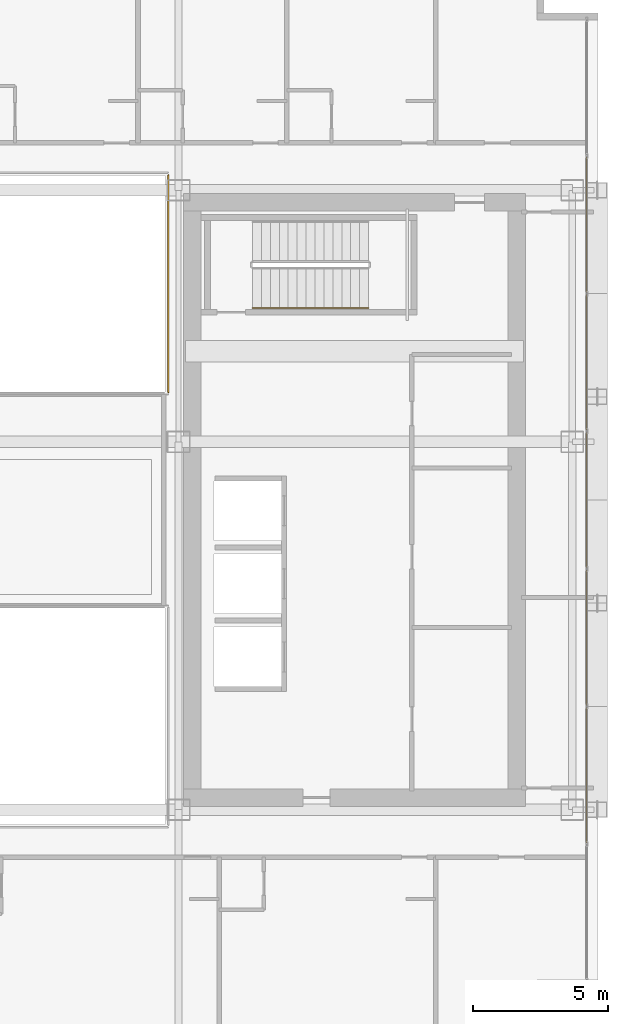
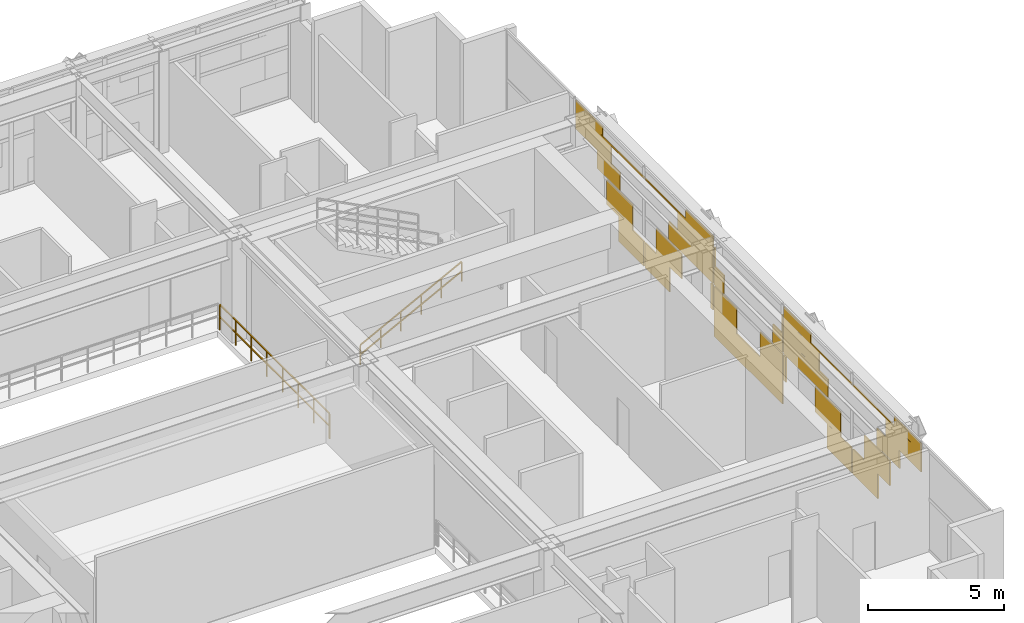
# One storey, part 37 of 38: 2 railings, 1 covering.
"""IFC4 building model written with IfcOpenShell, lengths in metres."""

import ifcopenshell
import ifcopenshell.guid

model = None  # the IFC model being written
_history = None  # IfcOwnerHistory: only IFC2X3 demands one
_inside = {}  # id of a spatial element -> (the spatial element, [elements in it])
_under = {}  # id of a project, library or spatial element -> (it, [spatial elements below it])
_declared = {}  # id of a project -> (the project, [libraries it declares])
_typed = {}  # id of a type object -> (the type object, [elements of that type])
_made_of = {}  # id of a material, layer set ... -> (it, [elements and type objects made of it])


def new_model(schema):
    """Start an empty IFC model of exactly this schema.

    Asked for "IFC4X3", IfcOpenShell would pick the latest addendum, in which some entities
    have other attributes; the version numbers below select the first issue.
    IFC2X3 requires an IfcOwnerHistory on every rooted entity: one is made here for all.
    """
    global model, _history
    if schema == "IFC4X3":
        model = ifcopenshell.file(schema_version=(4, 3, 0, 0))
    else:
        model = ifcopenshell.file(schema=schema)
    _inside.clear()
    _under.clear()
    _declared.clear()
    _typed.clear()
    _made_of.clear()
    _history = None
    if model.schema == "IFC2X3":
        org = make("IfcOrganization", Name="unknown")
        user = make(
            "IfcPersonAndOrganization",
            ThePerson=make("IfcPerson", FamilyName="unknown"),
            TheOrganization=org,
        )
        app = make(
            "IfcApplication",
            ApplicationDeveloper=org,
            Version="unknown",
            ApplicationFullName="unknown",
            ApplicationIdentifier="unknown",
        )
        _history = make(
            "IfcOwnerHistory",
            OwningUser=user,
            OwningApplication=app,
            ChangeAction="ADDED",
            CreationDate=0,
        )
    return model


def make(cls, **values):
    """One entity of the class cls with the attributes given. An attribute that is None is left unset."""
    return model.create_entity(
        cls, **{name: value for name, value in values.items() if value is not None}
    )


def rooted(cls, **values):
    """An entity with a GlobalId (a new one), such as an element, a storey or a relation."""
    return make(cls, GlobalId=ifcopenshell.guid.new(), OwnerHistory=_history, **values)


def si_unit(unit_type, name, prefix=None):
    """IfcSIUnit, for example si_unit("LENGTHUNIT", "METRE", prefix="MILLI")."""
    return make("IfcSIUnit", UnitType=unit_type, Prefix=prefix, Name=name)


def assignment(units):
    """IfcUnitAssignment: the units of a project."""
    return None if units is None else make("IfcUnitAssignment", Units=units)


def point(xyz):
    """IfcCartesianPoint."""
    return None if xyz is None else make("IfcCartesianPoint", Coordinates=xyz)


def direction(xyz):
    """IfcDirection."""
    return None if xyz is None else make("IfcDirection", DirectionRatios=xyz)


def frame(location, z_axis=None, x_axis=None):
    """IfcAxis2Placement3D, a coordinate frame: its origin and axes. An axis left out is left unset."""
    return make(
        "IfcAxis2Placement3D",
        Location=point(location),
        Axis=direction(z_axis),
        RefDirection=direction(x_axis),
    )


def frame_2d(location, x_axis=None):
    """IfcAxis2Placement2D, a coordinate frame in the plane: its origin and x axis."""
    return make(
        "IfcAxis2Placement2D", Location=point(location), RefDirection=direction(x_axis)
    )


def origin():
    """The frame at (0, 0, 0) with its axes left unset."""
    return frame((0.0, 0.0, 0.0))


def origin_2d():
    """The frame at (0, 0) in the plane with its x axis left unset."""
    return frame_2d((0.0, 0.0))


def place(relative_to, where):
    """IfcLocalPlacement: puts the frame where relative to a parent placement (None: the world)."""
    return make(
        "IfcLocalPlacement", PlacementRelTo=relative_to, RelativePlacement=where
    )


def context(
    kind, dimensions, precision=None, world=None, true_north=None, identifier=None
):
    """IfcGeometricRepresentationContext, for example the 3D "Model" context."""
    return make(
        "IfcGeometricRepresentationContext",
        ContextIdentifier=identifier,
        ContextType=kind,
        CoordinateSpaceDimension=dimensions,
        Precision=precision,
        WorldCoordinateSystem=world,
        TrueNorth=true_north,
    )


def subcontext(parent, identifier, kind, view, scale=None):
    """IfcGeometricRepresentationSubContext, for example "Body" below "Model"."""
    return make(
        "IfcGeometricRepresentationSubContext",
        ContextIdentifier=identifier,
        ContextType=kind,
        ParentContext=parent,
        TargetScale=scale,
        TargetView=view,
    )


def project(units=None, contexts=None):
    """IfcProject with its units and contexts."""
    return rooted(
        "IfcProject",
        Name="project",
        RepresentationContexts=contexts,
        UnitsInContext=assignment(units),
    )


def spatial(cls, under=None, at=None, **own):
    """A site, building, storey or space (cls), placed at a placement, below another one or the project."""
    s = rooted(cls, ObjectPlacement=at, **own)
    if under is not None:
        _under.setdefault(under.id(), (under, []))[1].append(s)
    return s


def profile(cls, at=None, kind="AREA", **sizes):
    """A parametric profile (cls). Its sizes go by their IFC names, for example OverallWidth=200.0."""
    return make(cls, ProfileType=kind, Position=at, **sizes)


def rectangle(**sizes):
    """IfcRectangleProfileDef."""
    return profile("IfcRectangleProfileDef", **sizes)


def extrude(swept, where, along, depth):
    """IfcExtrudedAreaSolid: the profile swept, set in the frame where, extruded along a direction by depth."""
    return make(
        "IfcExtrudedAreaSolid",
        SweptArea=swept,
        Position=where,
        ExtrudedDirection=direction(along),
        Depth=depth,
    )


def shape(context_of_items, identifier, shape_type, items):
    """IfcShapeRepresentation: the items that make up one representation, for example the "Body"."""
    return make(
        "IfcShapeRepresentation",
        ContextOfItems=context_of_items,
        RepresentationIdentifier=identifier,
        RepresentationType=shape_type,
        Items=items,
    )


def material(Name=None, Category=None):
    """IfcMaterial."""
    return make("IfcMaterial", Name=Name, Category=Category)


def layer(
    of_material, thickness, ventilated=None, Name=None, Category=None, Priority=None
):
    """IfcMaterialLayer: one layer of a wall or slab, of a material (None: an air gap)."""
    return make(
        "IfcMaterialLayer",
        Material=of_material,
        LayerThickness=thickness,
        IsVentilated=ventilated,
        Name=Name,
        Category=Category,
        Priority=Priority,
    )


def layer_set(layers, Name=None):
    """IfcMaterialLayerSet."""
    return make("IfcMaterialLayerSet", MaterialLayers=layers, LayerSetName=Name)


def made_of(thing, what):
    """Note that an element or type object is made of a material, layer set ...; save() writes the relation."""
    if what is not None:
        _made_of.setdefault(what.id(), (what, []))[1].append(thing)
    return thing


def type_object(cls, material=None, **own):
    """A type object (cls), such as IfcWallType, which elements share."""
    return made_of(rooted(cls, **own), material)


def element(
    cls,
    number,
    at=None,
    inside=None,
    cuts=None,
    type_object=None,
    material=None,
    context=None,
    identifier="Body",
    shape_type=None,
    held_by="IfcProductDefinitionShape",
    body=None,
    shapes=None,
    **own,
):
    """One element of the class cls, such as IfcWall. Its Tag is "e" and its number.

    at: its placement. inside: the storey or other place that contains it. cuts: it is an
    opening in that element (IfcRelVoidsElement). A single representation is given by context,
    identifier, shape_type and body (its items); several are given by shapes. held_by: the class
    of the entity that holds the representations. save() writes the other relations.
    """
    e = rooted(cls, Tag="e%d" % number, ObjectPlacement=at, **own)
    if body is not None:
        shapes = [shape(context, identifier, shape_type, body)]
    if shapes is not None:
        e.Representation = make(held_by, Representations=shapes)
    if inside is not None:
        _inside.setdefault(inside.id(), (inside, []))[1].append(e)
    if cuts is not None:
        rooted(
            "IfcRelVoidsElement", RelatingBuildingElement=cuts, RelatedOpeningElement=e
        )
    if type_object is not None:
        _typed.setdefault(type_object.id(), (type_object, []))[1].append(e)
    return made_of(e, material)


def aggregate(whole, parts):
    """IfcRelAggregates: a whole, such as a stair, and the parts it consists of."""
    return rooted("IfcRelAggregates", RelatingObject=whole, RelatedObjects=parts)


def save(model, path):
    """Write the relations noted so far, then the file.

    IfcRelAggregates (storeys below a building ...), IfcRelContainedInSpatialStructure (elements
    in a storey), IfcRelDefinesByType, IfcRelAssociatesMaterial and IfcRelDeclares: one each for
    every whole, place, type object, material and project.
    """
    for whole, parts in _under.values():
        aggregate(whole, parts)
    for where, things in _inside.values():
        rooted(
            "IfcRelContainedInSpatialStructure",
            RelatedElements=things,
            RelatingStructure=where,
        )
    for kind, things in _typed.values():
        rooted("IfcRelDefinesByType", RelatedObjects=things, RelatingType=kind)
    for what, things in _made_of.values():
        rooted("IfcRelAssociatesMaterial", RelatedObjects=things, RelatingMaterial=what)
    for by, libraries in _declared.values():
        rooted("IfcRelDeclares", RelatingContext=by, RelatedDefinitions=libraries)
    model.write(path)


model = new_model("IFC4")

# Units and contexts
model_context = context("Model", 3, precision=1e-05, world=origin(), true_north=direction((0.0, 1.0)))
body_context = subcontext(model_context, "Body", "Model", "MODEL_VIEW")
ifc_project = project(units=[si_unit("LENGTHUNIT", "METRE"), si_unit("AREAUNIT", "SQUARE_METRE"), si_unit("VOLUMEUNIT", "CUBIC_METRE"), si_unit("PLANEANGLEUNIT", "RADIAN"), si_unit("MASSUNIT", "GRAM", prefix="KILO")], contexts=[model_context])

# Site, building, storey
site_placement = place(None, origin())
site = spatial("IfcSite", under=ifc_project, at=site_placement, CompositionType="ELEMENT")
building_placement = place(site_placement, origin())
building = spatial("IfcBuilding", under=site, at=building_placement, Name="Ocotamira Hotel", CompositionType="ELEMENT")
storey_placement = place(building_placement, frame((0.0, 0.0, 92.39990234375)))
storey = spatial("IfcBuildingStorey", under=building, at=storey_placement, Name="L22", CompositionType="ELEMENT", Elevation=92.39990234375)

# Covering
ifc_material_1 = material(Name="Insulated pale-metal aluminium spandrel panel", Category="aluminium")
ifc_layer = layer(ifc_material_1, 0.044921875)
ifc_layer_set = layer_set([ifc_layer], Name="Insulated pale-metal aluminium spandrel panel")
covering_type = type_object("IfcCoveringType", Name="COV-INFILL-45", PredefinedType="CLADDING", material=ifc_layer_set)
covering_placement = place(storey_placement, origin())
element("IfcCovering", 1, at=covering_placement, inside=storey, type_object=covering_type, Name="L22 Curtain Wall Infill CW-5 CW-L22-E", PredefinedType="CLADDING", context=body_context, shape_type="SweptSolid", body=[
    extrude(rectangle(XDim=1.89990234375, YDim=0.044921875, at=origin_2d()), frame((55.580078125, 16.566162109375, 1.1943359375), z_axis=(0.0, 0.0, 1.0), x_axis=(0.0, 1.0, 0.0)), (0.0, 0.0, 1.0), 1.117919921875),
    extrude(rectangle(XDim=1.83251953125, YDim=0.044921875, at=origin_2d()), frame((55.580078125, 17.414794921875, 0.07568359375), z_axis=(0.0, 0.0, 1.0), x_axis=(0.0, 1.0, 0.0)), (0.0, 0.0, 1.0), 1.117919921875),
    extrude(rectangle(XDim=2.6123046875, YDim=0.044921875, at=origin_2d()), frame((55.580078125, 14.63232421875, 3.1953125), z_axis=(0.0, 0.0, 1.0), x_axis=(0.0, 1.0, 0.0)), (0.0, 0.0, 1.0), 0.80615234375),
    extrude(rectangle(XDim=5.004638671875, YDim=0.044921875, at=origin_2d()), frame((55.580078125, 15.82861328125, 4.00244140625), z_axis=(0.0, 0.0, 1.0), x_axis=(0.0, 1.0, 0.0)), (0.0, 0.0, 1.0), 0.0791015625),
    extrude(rectangle(XDim=1.99169921875, YDim=0.044921875, at=origin_2d()), frame((55.580078125, 14.322021484375, 4.08251953125), z_axis=(0.0, 0.0, 1.0), x_axis=(0.0, 1.0, 0.0)), (0.0, 0.0, 1.0), 0.402099609375),
    extrude(rectangle(XDim=1.654296875, YDim=0.044921875, at=origin_2d()), frame((55.580078125, 15.747802734375, 2.38818359375), z_axis=(0.0, 0.0, 1.0), x_axis=(0.0, 1.0, 0.0)), (0.0, 0.0, 1.0), 0.80615234375),
    extrude(rectangle(XDim=1.822998046875, YDim=0.044921875, at=origin_2d()), frame((55.580078125, 19.323486328125, 0.07568359375), z_axis=(0.0, 0.0, 1.0), x_axis=(0.0, 1.0, 0.0)), (0.0, 0.0, 1.0), 1.117919921875),
    extrude(rectangle(XDim=1.89990234375, YDim=0.044921875, at=origin_2d()), frame((55.580078125, 20.1669921875, 1.1943359375), z_axis=(0.0, 0.0, 1.0), x_axis=(0.0, 1.0, 0.0)), (0.0, 0.0, 1.0), 1.117919921875),
    extrude(rectangle(XDim=0.1669921875, YDim=0.044921875, at=origin_2d()), frame((55.580078125, 23.3330078125, 1.1943359375), z_axis=(0.0, 0.0, 1.0), x_axis=(0.0, 1.0, 0.0)), (0.0, 0.0, 1.0), 1.117919921875),
    extrude(rectangle(XDim=5.004638671875, YDim=0.044921875, at=origin_2d()), frame((55.580078125, 20.914306640625, 4.00244140625), z_axis=(0.0, 0.0, 1.0), x_axis=(0.0, 1.0, 0.0)), (0.0, 0.0, 1.0), 0.0791015625),
    extrude(rectangle(XDim=3.25830078125, YDim=0.044921875, at=origin_2d()), frame((55.580078125, 21.78759765625, 2.38818359375), z_axis=(0.0, 0.0, 1.0), x_axis=(0.0, 1.0, 0.0)), (0.0, 0.0, 1.0), 0.80615234375),
    extrude(rectangle(XDim=2.621826171875, YDim=0.044921875, at=origin_2d()), frame((55.580078125, 22.105712890625, 3.1953125), z_axis=(0.0, 0.0, 1.0), x_axis=(0.0, 1.0, 0.0)), (0.0, 0.0, 1.0), 0.80615234375),
    extrude(rectangle(XDim=2.001220703125, YDim=0.044921875, at=origin_2d()), frame((55.580078125, 22.416015625, 4.08251953125), z_axis=(0.0, 0.0, 1.0), x_axis=(0.0, 1.0, 0.0)), (0.0, 0.0, 1.0), 0.402099609375),
    extrude(rectangle(XDim=5.004638671875, YDim=0.044921875, at=origin_2d()), frame((55.580078125, 26.0, 0.07568359375), z_axis=(0.0, 0.0, 1.0), x_axis=(0.0, 1.0, 0.0)), (0.0, 0.0, 1.0), 1.117919921875),
    extrude(rectangle(XDim=1.652099609375, YDim=0.044921875, at=origin_2d()), frame((55.580078125, 24.323486328125, 1.1943359375), z_axis=(0.0, 0.0, 1.0), x_axis=(0.0, 1.0, 0.0)), (0.0, 0.0, 1.0), 1.117919921875),
    extrude(rectangle(XDim=1.652099609375, YDim=0.044921875, at=origin_2d()), frame((55.580078125, 27.676513671875, 1.1943359375), z_axis=(0.0, 0.0, 1.0), x_axis=(0.0, 1.0, 0.0)), (0.0, 0.0, 1.0), 1.117919921875),
    extrude(rectangle(XDim=0.710693359375, YDim=0.044921875, at=origin_2d()), frame((55.580078125, 23.852783203125, 2.38818359375), z_axis=(0.0, 0.0, 1.0), x_axis=(0.0, 1.0, 0.0)), (0.0, 0.0, 1.0), 0.84619140625),
    extrude(rectangle(XDim=0.04248046875, YDim=0.044921875, at=origin_2d()), frame((55.580078125, 23.518798828125, 3.2353515625), z_axis=(0.0, 0.0, 1.0), x_axis=(0.0, 1.0, 0.0)), (0.0, 0.0, 1.0), 0.84619140625),
    extrude(rectangle(XDim=0.710693359375, YDim=0.044921875, at=origin_2d()), frame((55.580078125, 28.147216796875, 2.38818359375), z_axis=(0.0, 0.0, 1.0), x_axis=(0.0, 1.0, 0.0)), (0.0, 0.0, 1.0), 0.84619140625),
    extrude(rectangle(XDim=0.04248046875, YDim=0.044921875, at=origin_2d()), frame((55.580078125, 28.481201171875, 3.2353515625), z_axis=(0.0, 0.0, 1.0), x_axis=(0.0, 1.0, 0.0)), (0.0, 0.0, 1.0), 0.84619140625),
    extrude(rectangle(XDim=0.1669921875, YDim=0.044921875, at=origin_2d()), frame((55.580078125, 28.6669921875, 1.1943359375), z_axis=(0.0, 0.0, 1.0), x_axis=(0.0, 1.0, 0.0)), (0.0, 0.0, 1.0), 1.117919921875),
    extrude(rectangle(XDim=1.89990234375, YDim=0.044921875, at=origin_2d()), frame((55.580078125, 31.8330078125, 1.1943359375), z_axis=(0.0, 0.0, 1.0), x_axis=(0.0, 1.0, 0.0)), (0.0, 0.0, 1.0), 1.117919921875),
    extrude(rectangle(XDim=1.822998046875, YDim=0.044921875, at=origin_2d()), frame((55.580078125, 32.676513671875, 0.07568359375), z_axis=(0.0, 0.0, 1.0), x_axis=(0.0, 1.0, 0.0)), (0.0, 0.0, 1.0), 1.117919921875),
    extrude(rectangle(XDim=3.25830078125, YDim=0.044921875, at=origin_2d()), frame((55.580078125, 30.21240234375, 2.38818359375), z_axis=(0.0, 0.0, 1.0), x_axis=(0.0, 1.0, 0.0)), (0.0, 0.0, 1.0), 0.80615234375),
    extrude(rectangle(XDim=2.621826171875, YDim=0.044921875, at=origin_2d()), frame((55.580078125, 29.894287109375, 3.1953125), z_axis=(0.0, 0.0, 1.0), x_axis=(0.0, 1.0, 0.0)), (0.0, 0.0, 1.0), 0.80615234375),
    extrude(rectangle(XDim=5.004638671875, YDim=0.044921875, at=origin_2d()), frame((55.580078125, 31.085693359375, 4.00244140625), z_axis=(0.0, 0.0, 1.0), x_axis=(0.0, 1.0, 0.0)), (0.0, 0.0, 1.0), 0.0791015625),
    extrude(rectangle(XDim=2.001220703125, YDim=0.044921875, at=origin_2d()), frame((55.580078125, 29.583984375, 4.08251953125), z_axis=(0.0, 0.0, 1.0), x_axis=(0.0, 1.0, 0.0)), (0.0, 0.0, 1.0), 0.402099609375),
    extrude(rectangle(XDim=1.83251953125, YDim=0.044921875, at=origin_2d()), frame((55.580078125, 34.585205078125, 0.07568359375), z_axis=(0.0, 0.0, 1.0), x_axis=(0.0, 1.0, 0.0)), (0.0, 0.0, 1.0), 1.117919921875),
    extrude(rectangle(XDim=1.89990234375, YDim=0.044921875, at=origin_2d()), frame((55.580078125, 35.433837890625, 1.1943359375), z_axis=(0.0, 0.0, 1.0), x_axis=(0.0, 1.0, 0.0)), (0.0, 0.0, 1.0), 1.117919921875),
    extrude(rectangle(XDim=5.004638671875, YDim=0.044921875, at=origin_2d()), frame((55.580078125, 36.17138671875, 4.00244140625), z_axis=(0.0, 0.0, 1.0), x_axis=(0.0, 1.0, 0.0)), (0.0, 0.0, 1.0), 0.0791015625),
    extrude(rectangle(XDim=1.654296875, YDim=0.044921875, at=origin_2d()), frame((55.580078125, 36.252197265625, 2.38818359375), z_axis=(0.0, 0.0, 1.0), x_axis=(0.0, 1.0, 0.0)), (0.0, 0.0, 1.0), 0.80615234375),
    extrude(rectangle(XDim=2.6123046875, YDim=0.044921875, at=origin_2d()), frame((55.580078125, 37.36767578125, 3.1953125), z_axis=(0.0, 0.0, 1.0), x_axis=(0.0, 1.0, 0.0)), (0.0, 0.0, 1.0), 0.80615234375),
    extrude(rectangle(XDim=1.99169921875, YDim=0.044921875, at=origin_2d()), frame((55.580078125, 37.677978515625, 4.08251953125), z_axis=(0.0, 0.0, 1.0), x_axis=(0.0, 1.0, 0.0)), (0.0, 0.0, 1.0), 0.402099609375),
])

# Railings
ifc_material_2 = material(Name="Painted steel stair guardrail", Category="steel")
railing_type_1 = type_object("IfcRailingType", Name="RL-EDGE-1150", PredefinedType="GUARDRAIL", material=ifc_material_2)
railing_1_placement = place(storey_placement, frame((40.1201171875, 29.97998046875, 0.0)))
element("IfcRailing", 2, at=railing_1_placement, inside=storey, type_object=railing_type_1, Name="L22 Atrium Bridge Lightwell Guard N E", PredefinedType="GUARDRAIL", context=body_context, shape_type="SweptSolid", body=[
    extrude(rectangle(XDim=0.048095703125, YDim=0.048095703125, at=origin_2d()), frame((0.0, 0.0, 1.1259765625), z_axis=(0.0, 1.0, 0.0), x_axis=(-1.0, 0.0, 0.0)), (0.0, 0.0, 1.0), 8.0400390625),
    extrude(rectangle(XDim=0.048095703125, YDim=0.048095703125, at=origin_2d()), frame((0.0, 0.0, 0.574951171875), z_axis=(0.0, 1.0, 0.0), x_axis=(-1.0, 0.0, 0.0)), (0.0, 0.0, 1.0), 8.0400390625),
    extrude(rectangle(XDim=0.0419921875, YDim=0.0419921875, at=origin_2d()), origin(), (0.0, 0.0, 1.0), 1.101806640625),
    extrude(rectangle(XDim=0.0419921875, YDim=0.0419921875, at=origin_2d()), frame((0.0, 1.148681640625, 0.0)), (0.0, 0.0, 1.0), 1.101806640625),
    extrude(rectangle(XDim=0.0419921875, YDim=0.0419921875, at=origin_2d()), frame((0.0, 2.297119140625, 0.0)), (0.0, 0.0, 1.0), 1.101806640625),
    extrude(rectangle(XDim=0.0419921875, YDim=0.0419921875, at=origin_2d()), frame((0.0, 3.44580078125, 0.0)), (0.0, 0.0, 1.0), 1.101806640625),
    extrude(rectangle(XDim=0.0419921875, YDim=0.0419921875, at=origin_2d()), frame((0.0, 4.59423828125, 0.0)), (0.0, 0.0, 1.0), 1.101806640625),
    extrude(rectangle(XDim=0.0419921875, YDim=0.0419921875, at=origin_2d()), frame((0.0, 5.742919921875, 0.0)), (0.0, 0.0, 1.0), 1.101806640625),
    extrude(rectangle(XDim=0.0419921875, YDim=0.0419921875, at=origin_2d()), frame((0.0, 6.891357421875, 0.0)), (0.0, 0.0, 1.0), 1.101806640625),
    extrude(rectangle(XDim=0.0419921875, YDim=0.0419921875, at=origin_2d()), frame((0.0, 8.0400390625, 0.0)), (0.0, 0.0, 1.0), 1.101806640625),
])
ifc_material_3 = material(Name="Brushed stainless steel handrail", Category="steel")
railing_type_2 = type_object("IfcRailingType", Name="RL-HAND-900", PredefinedType="HANDRAIL", material=ifc_material_3)
railing_2_placement = place(storey_placement, frame((43.22998046875, 33.10009765625, 0.343017578125)))
element("IfcRailing", 3, at=railing_2_placement, inside=storey, type_object=railing_type_2, Name="L22 ST-4 stair handrail 1", PredefinedType="HANDRAIL", context=body_context, shape_type="SweptSolid", body=[
    extrude(rectangle(XDim=0.048095703125, YDim=0.048095703125, at=origin_2d()), frame((0.0, 0.0, 0.8759765625), z_axis=(0.887411858541, 0.0, 0.46097743255), x_axis=(0.0, 1.0, 0.0)), (0.0, 0.0, 1.0), 4.834228515625),
    extrude(rectangle(XDim=0.048095703125, YDim=0.048095703125, at=origin_2d()), frame((0.0, 0.0, 0.449951171875), z_axis=(0.887411858541, 0.0, 0.46097743255), x_axis=(0.0, 1.0, 0.0)), (0.0, 0.0, 1.0), 4.834228515625),
    extrude(rectangle(XDim=0.0419921875, YDim=0.0419921875, at=origin_2d()), origin(), (0.0, 0.0, 1.0), 0.851806640625),
    extrude(rectangle(XDim=0.0419921875, YDim=0.0419921875, at=origin_2d()), frame((0.85791015625, 0.0, 0.44580078125)), (0.0, 0.0, 1.0), 0.851806640625),
    extrude(rectangle(XDim=0.0419921875, YDim=0.0419921875, at=origin_2d()), frame((1.716064453125, 0.0, 0.891357421875)), (0.0, 0.0, 1.0), 0.851806640625),
    extrude(rectangle(XDim=0.0419921875, YDim=0.0419921875, at=origin_2d()), frame((2.573974609375, 0.0, 1.337158203125)), (0.0, 0.0, 1.0), 0.851806640625),
    extrude(rectangle(XDim=0.0419921875, YDim=0.0419921875, at=origin_2d()), frame((3.43212890625, 0.0, 1.78271484375)), (0.0, 0.0, 1.0), 0.851806640625),
    extrude(rectangle(XDim=0.0419921875, YDim=0.0419921875, at=origin_2d()), frame((4.2900390625, 0.0, 2.228515625)), (0.0, 0.0, 1.0), 0.851806640625),
])

save(model, "model.ifc")
